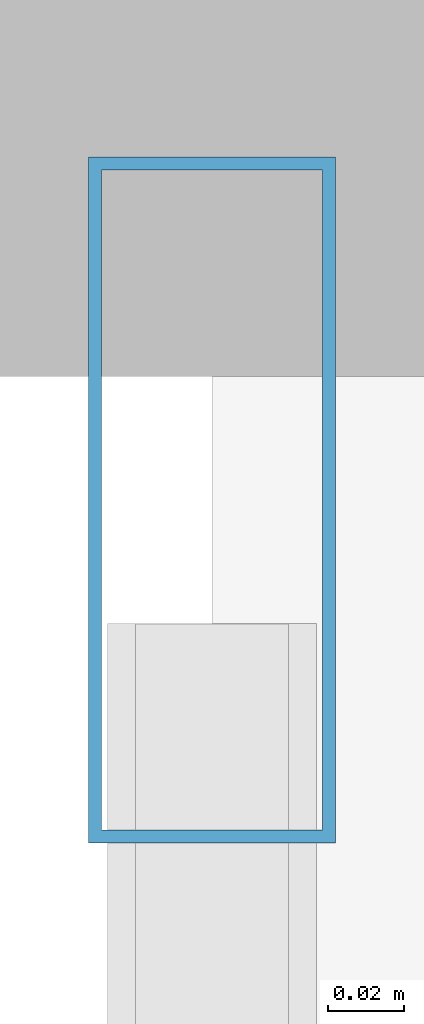
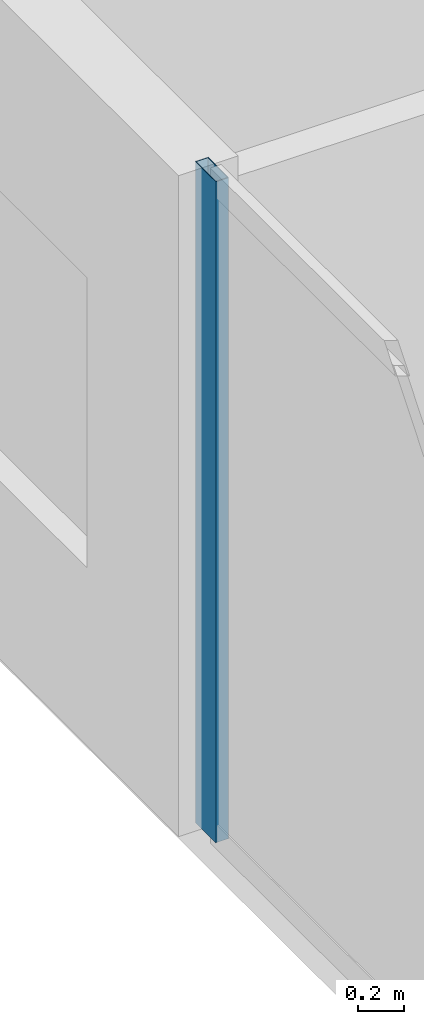
# One storey, part 17 of 32: 1 member, 1 element without a shape of its own.
"""IFC4 building model written with IfcOpenShell, lengths in metres."""

from ifc_helpers import new_model, si_unit, direction, frame, origin, origin_2d, place, context, subcontext, project, spatial, hollow_rectangle, extrude, material, layer, layer_set, material_profile, profile_set, type_object, element, aggregate, save


model = new_model("IFC4")

# Units and contexts
model_context = context("Model", 3, precision=1e-05, world=origin(), true_north=direction((0.0, 1.0)))
body_context = subcontext(model_context, "Body", "Model", "MODEL_VIEW")
ifc_project = project(units=[si_unit("LENGTHUNIT", "METRE"), si_unit("AREAUNIT", "SQUARE_METRE"), si_unit("VOLUMEUNIT", "CUBIC_METRE"), si_unit("PLANEANGLEUNIT", "RADIAN"), si_unit("MASSUNIT", "GRAM", prefix="KILO")], contexts=[model_context])

# Site, building, storey
site_placement = place(None, origin())
site = spatial("IfcSite", under=ifc_project, at=site_placement, CompositionType="ELEMENT")
building_placement = place(site_placement, origin())
building = spatial("IfcBuilding", under=site, at=building_placement, Name="Zuhayl Quay Hotel", CompositionType="ELEMENT")
storey_placement = place(building_placement, frame((0.0, 0.0, 203.64990234375)))
storey = spatial("IfcBuildingStorey", under=building, at=storey_placement, Name="L51", CompositionType="ELEMENT", Elevation=203.64990234375)

# Curtain wall, member
ifc_material_1 = material(Name="Anodised Aluminium 6063-T6", Category="aluminium")
ifc_layer = layer(ifc_material_1, 0.175048828125, Name="Anodised Aluminium 6063-T6", Category="aluminium")
ifc_layer_set = layer_set([ifc_layer], Name="Anodised Aluminium 6063-T6")
curtain_wall_type = type_object("IfcCurtainWallType", Name="CW_SYS_Z3", PredefinedType="USERDEFINED", material=ifc_layer_set)
curtain_wall_placement = place(storey_placement, origin())
curtain_wall = element("IfcCurtainWall", 1, at=curtain_wall_placement, inside=storey, type_object=curtain_wall_type, Name="L51 Curtain Wall ENV_L51_E05_CW1", ObjectType="UNITISED CURTAIN WALL", PredefinedType="USERDEFINED")
ifc_material_2 = material(Name="Black-anodised aluminium 6063-T6", Category="aluminium")
ifc_material_profile = material_profile(ifc_material_2, hollow_rectangle(XDim=0.06494140625, YDim=0.179931640625, WallThickness=0.00341796875, at=origin_2d()), Name="ALU180X65")
ifc_profile_set = profile_set([ifc_material_profile], Name="Black-anodised aluminium 6063-T6")
member_type = type_object("IfcMemberType", Name="MB_CW_MUL_180", PredefinedType="MULLION", material=ifc_profile_set)
member_placement = place(storey_placement, frame((-22.10009765625, 24.517578125, 0.0), z_axis=(0.0, 0.0, 1.0), x_axis=(-1.0, 0.0, 0.0)))
member = element("IfcMember", 2, at=member_placement, type_object=member_type, Name="CW-Z3 mullion 2", PredefinedType="MULLION", context=body_context, shape_type="SweptSolid", body=[
    extrude(hollow_rectangle(XDim=0.06494140625, YDim=0.179931640625, WallThickness=0.00341796875, at=origin_2d()), origin(), (0.0, 0.0, 1.0), 3.530029296875),
])
aggregate(curtain_wall, [member])

save(model, "model.ifc")
